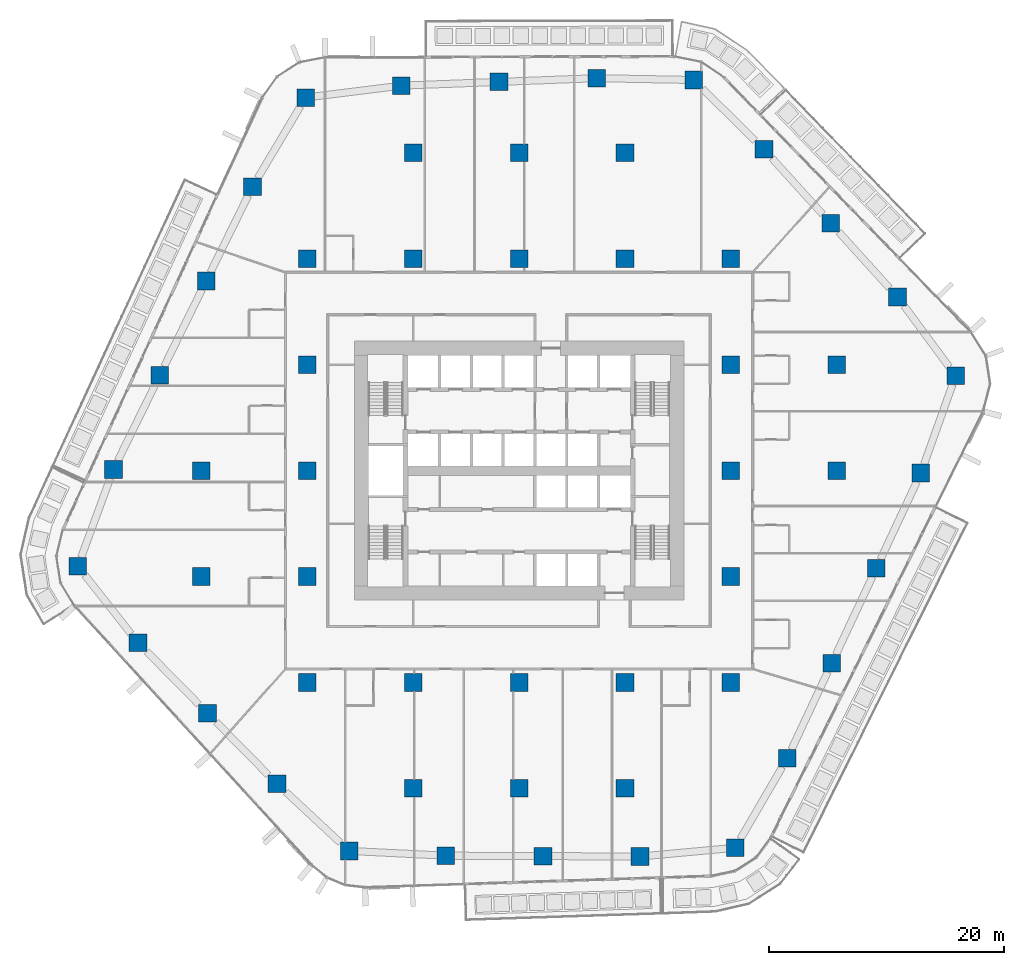
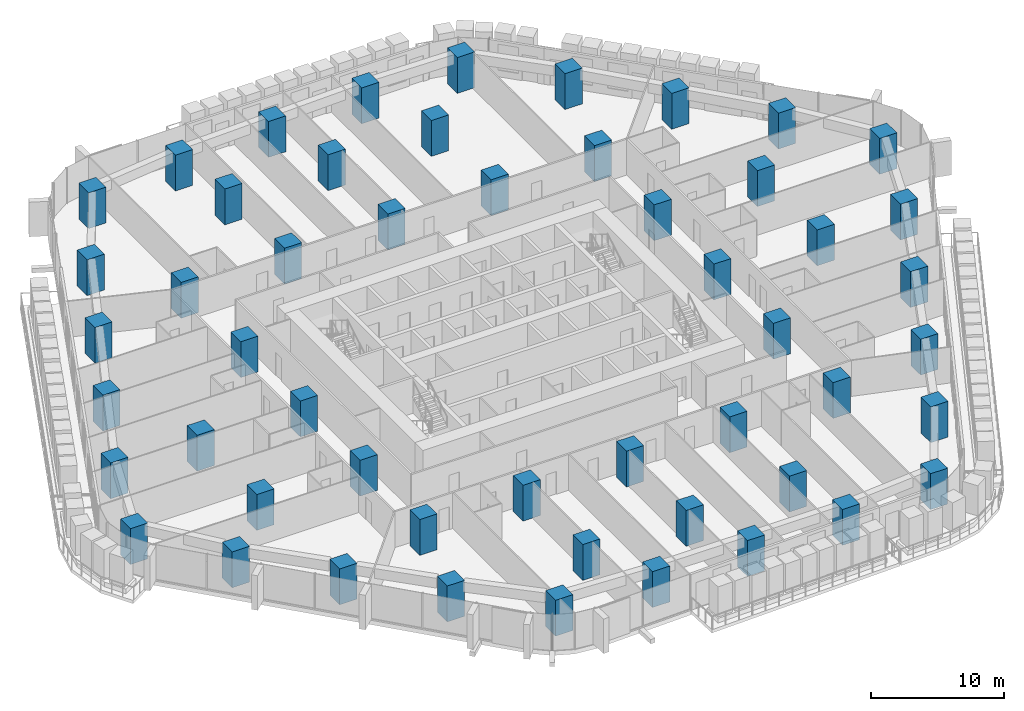
# One storey, part 1 of 27: 52 columns.
"""IFC4 building model written with IfcOpenShell, lengths in metres."""

from ifc_helpers import new_model, si_unit, direction, frame, origin, origin_2d, place, context, subcontext, project, spatial, rectangle, extrude, material, material_profile, profile_set, type_object, element, save


model = new_model("IFC4")

# Units and contexts
model_context = context("Model", 3, precision=1e-05, world=origin(), true_north=direction((0.0, 1.0)))
body_context = subcontext(model_context, "Body", "Model", "MODEL_VIEW")
ifc_project = project(units=[si_unit("LENGTHUNIT", "METRE"), si_unit("AREAUNIT", "SQUARE_METRE"), si_unit("VOLUMEUNIT", "CUBIC_METRE"), si_unit("PLANEANGLEUNIT", "RADIAN"), si_unit("MASSUNIT", "GRAM", prefix="KILO")], contexts=[model_context])

# Site, building, storey
site_placement = place(None, origin())
site = spatial("IfcSite", under=ifc_project, at=site_placement, CompositionType="ELEMENT")
building_placement = place(site_placement, origin())
building = spatial("IfcBuilding", under=site, at=building_placement, Name="Dongbaek Canopy Tower", CompositionType="ELEMENT")
storey_placement = place(building_placement, frame((0.0, 0.0, 58.800048828125)))
storey = spatial("IfcBuildingStorey", under=building, at=storey_placement, Name="L10", CompositionType="ELEMENT", Elevation=58.800048828125)

# Columns
ifc_material = material(Name="Concrete C80", Category="concrete")
ifc_material_profile = material_profile(ifc_material, rectangle(XDim=1.5, YDim=1.5, at=origin_2d()), Name="RC COLUMN 1500x1500 C80")
ifc_profile_set = profile_set([ifc_material_profile], Name="Concrete C80")
column_type = type_object("IfcColumnType", Name="RC COLUMN 1500x1500 C80", PredefinedType="COLUMN", material=ifc_profile_set)
for number, where, z_axis, x_axis, name in (
    (1, (18.367919921875, -32.04296875, 0.0), (0.0, 0.0, 1.0), (1.0, 0.0, 0.0), "COL:CZ1-01:L10"),
    (2, (10.277099609375, -32.7900390625, 0.0), (0.0, 0.0, 1.0), (1.0, 0.0, 0.0), "COL:CZ1-02:L10"),
    (3, (2.027099609375, -32.7529296875, 0.0), (0.0, 0.0, 1.0), (1.0, 0.0, 0.0), "COL:CZ1-03:L10"),
    (4, (-6.221923828125, -32.717041015625, 0.0), (0.0, 0.0, 1.0), (1.0, 0.0, 0.0), "COL:CZ1-04:L10"),
    (5, (-14.43408203125, -32.31298828125, 0.0), (0.0, 0.0, 1.0), (1.0, 0.0, 0.0), "COL:CZ1-05:L10"),
    (6, (-20.573974609375, -26.60205078125, 0.0), (0.0, 0.0, 1.0), (1.0, 0.0, 0.0), "COL:CZ1-06:L10"),
    (7, (-26.47802734375, -20.60791015625, 0.0), (0.0, 0.0, 1.0), (1.0, 0.0, 0.0), "COL:CZ1-07:L10"),
    (8, (-32.382080078125, -14.613037109375, 0.0), (0.0, 0.0, 1.0), (1.0, 0.0, 0.0), "COL:CZ1-08:L10"),
    (9, (-37.489013671875, -8.123046875, 0.0), (0.0, 0.0, 1.0), (1.0, 0.0, 0.0), "COL:CZ1-09:L10"),
    (10, (-34.462890625, 0.10302734375, 0.0), (0.0, 0.0, 1.0), (1.0, 0.0, 0.0), "COL:CZ1-10:L10"),
    (11, (-30.52490234375, 8.111083984375, 0.0), (0.0, 0.0, 1.0), (1.0, 0.0, 0.0), "COL:CZ1-11:L10"),
    (12, (-26.5859375, 16.117919921875, 0.0), (0.0, 0.0, 1.0), (1.0, 0.0, 0.0), "COL:CZ1-12:L10"),
    (13, (-22.64794921875, 24.125, 0.0), (0.0, 0.0, 1.0), (1.0, 0.0, 0.0), "COL:CZ1-13:L10"),
    (14, (-18.138916015625, 31.698974609375, 0.0), (0.0, 0.0, 1.0), (1.0, 0.0, 0.0), "COL:CZ1-14:L10"),
    (15, (-10.006103515625, 32.714111328125, 0.0), (0.0, 0.0, 1.0), (1.0, 0.0, 0.0), "COL:CZ1-15:L10"),
    (16, (-1.7080078125, 33.031982421875, 0.0), (0.0, 0.0, 1.0), (1.0, 0.0, 0.0), "COL:CZ1-16:L10"),
    (17, (6.589111328125, 33.34912109375, 0.0), (0.0, 0.0, 1.0), (1.0, 0.0, 0.0), "COL:CZ1-17:L10"),
    (18, (14.830078125, 33.194091796875, 0.0), (0.0, 0.0, 1.0), (1.0, 0.0, 0.0), "COL:CZ1-18:L10"),
    (19, (20.804931640625, 27.297119140625, 0.0), (0.0, 0.0, 1.0), (1.0, 0.0, 0.0), "COL:CZ1-19:L10"),
    (20, (26.48193359375, 21.029052734375, 0.0), (0.0, 0.0, 1.0), (1.0, 0.0, 0.0), "COL:CZ1-20:L10"),
    (21, (32.157958984375, 14.760986328125, 0.0), (0.0, 0.0, 1.0), (1.0, 0.0, 0.0), "COL:CZ1-21:L10"),
    (22, (37.097900390625, 8.06591796875, 0.0), (0.0, 0.0, 1.0), (1.0, 0.0, 0.0), "COL:CZ1-22:L10"),
    (23, (34.14306640625, -0.205078125, 0.0), (0.0, 0.0, 1.0), (1.0, 0.0, 0.0), "COL:CZ1-23:L10"),
    (24, (30.360107421875, -8.283935546875, 0.0), (0.0, 0.0, 1.0), (1.0, 0.0, 0.0), "COL:CZ1-24:L10"),
    (25, (26.575927734375, -16.364013671875, 0.0), (0.0, 0.0, 1.0), (1.0, 0.0, 0.0), "COL:CZ1-25:L10"),
    (26, (22.7919921875, -24.443115234375, 0.0), (0.0, 0.0, 1.0), (1.0, 0.0, 0.0), "COL:CZ1-26:L10"),
    (27, (-27.0, -9.0, 0.0), (0.0, 0.0, 1.0), (1.0, 0.0, 0.0), "COL:CIZ1-01:L10"),
    (28, (-27.0, 0.0, 0.0), (0.0, 0.0, 1.0), (1.0, 0.0, 0.0), "COL:CIZ1-02:L10"),
    (29, (-18.0, -18.0, 0.0), (0.0, 0.0, 1.0), (1.0, 0.0, 0.0), "COL:CIZ1-03:L10"),
    (30, (-18.0, -9.0, 0.0), (0.0, 0.0, 1.0), (1.0, 0.0, 0.0), "COL:CIZ1-04:L10"),
    (31, (-18.0, 0.0, 0.0), (0.0, 0.0, 1.0), (1.0, 0.0, 0.0), "COL:CIZ1-05:L10"),
    (32, (-18.0, 9.0, 0.0), (0.0, 0.0, 1.0), (1.0, 0.0, 0.0), "COL:CIZ1-06:L10"),
    (33, (-18.0, 18.0, 0.0), (0.0, 0.0, 1.0), (1.0, 0.0, 0.0), "COL:CIZ1-07:L10"),
    (34, (-9.0, -27.0, 0.0), (0.0, 0.0, 1.0), (1.0, 0.0, 0.0), "COL:CIZ1-08:L10"),
    (35, (-9.0, -18.0, 0.0), (0.0, 0.0, 1.0), (1.0, 0.0, 0.0), "COL:CIZ1-09:L10"),
    (36, (-9.0, 18.0, 0.0), (0.0, 0.0, 1.0), (1.0, 0.0, 0.0), "COL:CIZ1-10:L10"),
    (37, (-9.0, 27.0, 0.0), (0.0, 0.0, 1.0), (1.0, 0.0, 0.0), "COL:CIZ1-11:L10"),
    (38, (0.0, -27.0, 0.0), (0.0, 0.0, 1.0), (1.0, 0.0, 0.0), "COL:CIZ1-12:L10"),
    (39, (0.0, -18.0, 0.0), (0.0, 0.0, 1.0), (1.0, 0.0, 0.0), "COL:CIZ1-13:L10"),
    (40, (0.0, 18.0, 0.0), (0.0, 0.0, 1.0), (1.0, 0.0, 0.0), "COL:CIZ1-14:L10"),
    (41, (0.0, 27.0, 0.0), (0.0, 0.0, 1.0), (1.0, 0.0, 0.0), "COL:CIZ1-15:L10"),
    (42, (9.0, -27.0, 0.0), (0.0, 0.0, 1.0), (1.0, 0.0, 0.0), "COL:CIZ1-16:L10"),
    (43, (9.0, -18.0, 0.0), (0.0, 0.0, 1.0), (1.0, 0.0, 0.0), "COL:CIZ1-17:L10"),
    (44, (9.0, 18.0, 0.0), (0.0, 0.0, 1.0), (1.0, 0.0, 0.0), "COL:CIZ1-18:L10"),
    (45, (9.0, 27.0, 0.0), (0.0, 0.0, 1.0), (1.0, 0.0, 0.0), "COL:CIZ1-19:L10"),
    (46, (18.0, -18.0, 0.0), (0.0, 0.0, 1.0), (1.0, 0.0, 0.0), "COL:CIZ1-20:L10"),
    (47, (18.0, -9.0, 0.0), (0.0, 0.0, 1.0), (1.0, 0.0, 0.0), "COL:CIZ1-21:L10"),
    (48, (18.0, 0.0, 0.0), (0.0, 0.0, 1.0), (1.0, 0.0, 0.0), "COL:CIZ1-22:L10"),
    (49, (18.0, 9.0, 0.0), (0.0, 0.0, 1.0), (1.0, 0.0, 0.0), "COL:CIZ1-23:L10"),
    (50, (18.0, 18.0, 0.0), (0.0, 0.0, 1.0), (1.0, 0.0, 0.0), "COL:CIZ1-24:L10"),
    (51, (27.0, 0.0, 0.0), (0.0, 0.0, 1.0), (1.0, 0.0, 0.0), "COL:CIZ1-25:L10"),
    (52, (27.0, 9.0, 0.0), (0.0, 0.0, 1.0), (1.0, 0.0, 0.0), "COL:CIZ1-26:L10"),
):
    element("IfcColumn", number, at=place(storey_placement, frame(where, z_axis=z_axis, x_axis=x_axis)), inside=storey, type_object=column_type, Name=name, PredefinedType="COLUMN", context=body_context, shape_type="SweptSolid", body=[
        extrude(rectangle(XDim=1.5, YDim=1.5, at=origin_2d()), origin(), (0.0, 0.0, 1.0), 3.300048828125),
    ])

save(model, "model.ifc")
